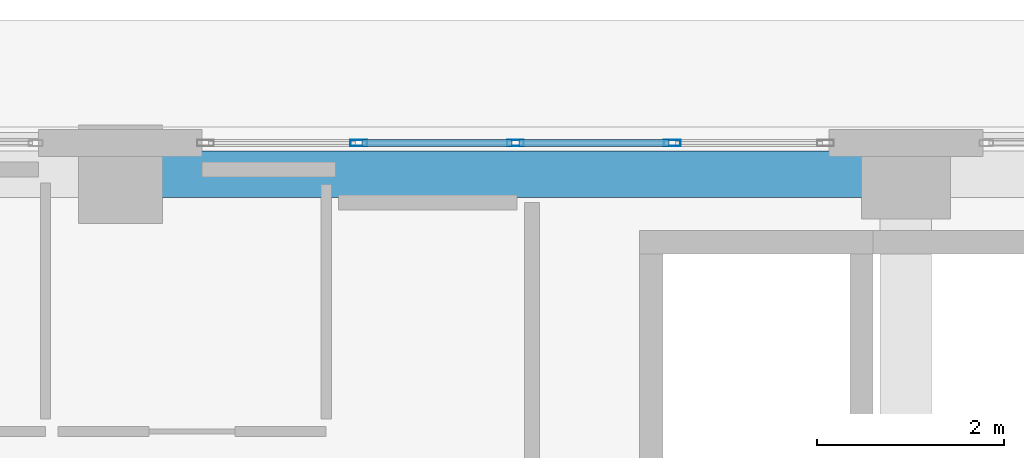
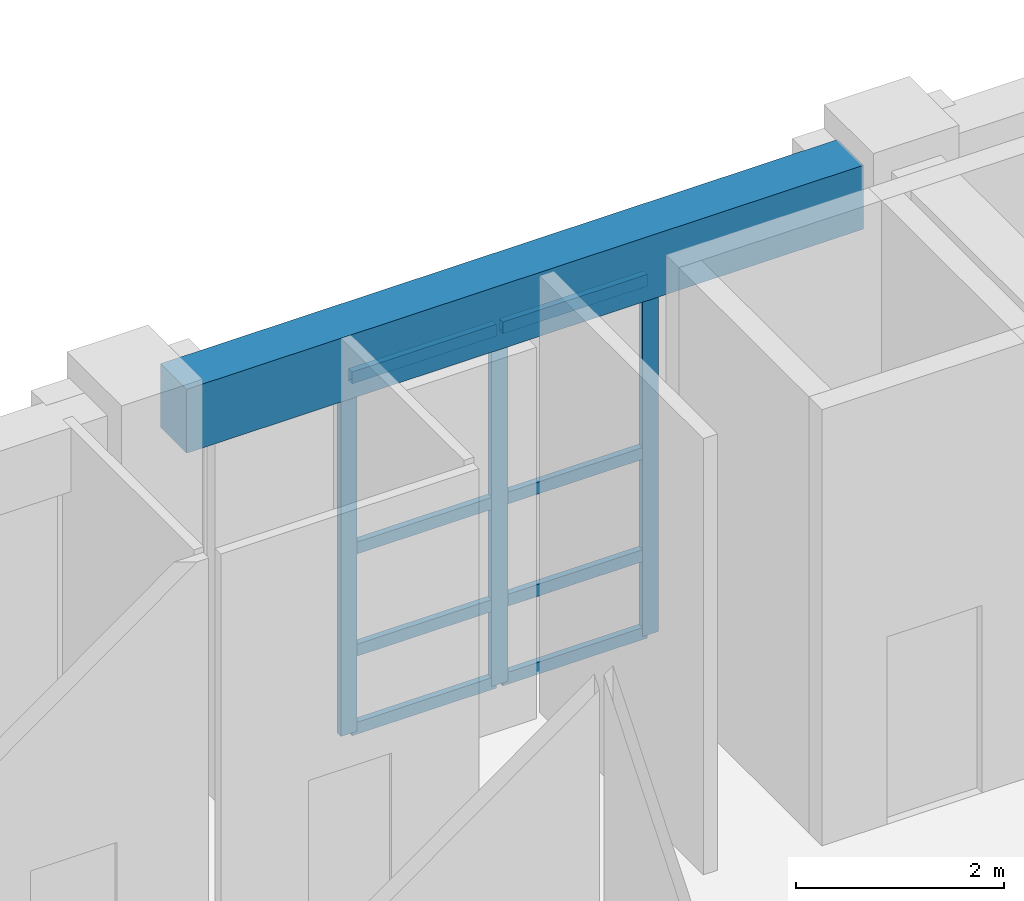
# One storey, part 59 of 148: 11 members, 1 beam, 1 element without a shape of its own.
"""IFC4 building model written with IfcOpenShell, lengths in metres."""

from ifc_helpers import new_model, si_unit, direction, frame, origin, origin_2d, place, context, subcontext, project, spatial, rectangle, hollow_rectangle, extrude, material, layer, layer_set, material_profile, profile_set, type_object, element, aggregate, save


model = new_model("IFC4")

# Units and contexts
model_context = context("Model", 3, precision=1e-05, world=origin(), true_north=direction((0.0, 1.0)))
body_context = subcontext(model_context, "Body", "Model", "MODEL_VIEW")
ifc_project = project(units=[si_unit("LENGTHUNIT", "METRE"), si_unit("AREAUNIT", "SQUARE_METRE"), si_unit("VOLUMEUNIT", "CUBIC_METRE"), si_unit("PLANEANGLEUNIT", "RADIAN"), si_unit("MASSUNIT", "GRAM", prefix="KILO")], contexts=[model_context])

# Site, building, storey
site_placement = place(None, origin())
site = spatial("IfcSite", under=ifc_project, at=site_placement, CompositionType="ELEMENT")
building_placement = place(site_placement, origin())
building = spatial("IfcBuilding", under=site, at=building_placement, Name="Quendrovan Civic Courthouse", CompositionType="ELEMENT")
storey_placement = place(building_placement, origin())
storey = spatial("IfcBuildingStorey", under=building, at=storey_placement, Name="L01", CompositionType="ELEMENT", Elevation=0.0)

# Beam
ifc_material_1 = material(Name="Concrete C40/50", Category="concrete")
ifc_material_profile_1 = material_profile(ifc_material_1, rectangle(XDim=0.5, YDim=0.75, at=origin_2d()), Name="RC-BM-500x750")
ifc_profile_set_1 = profile_set([ifc_material_profile_1], Name="Concrete C40/50")
beam_type = type_object("IfcBeamType", Name="BM-RC750", PredefinedType="SPANDREL", material=ifc_profile_set_1)
beam_placement = place(storey_placement, frame((42.429931640625, 109.89990234375, 4.7451171875), z_axis=(1.0, 0.0, 0.0), x_axis=(0.0, 1.0, 0.0)))
element("IfcBeam", 1, at=beam_placement, inside=storey, type_object=beam_type, Name="L01 Girder X0357", PredefinedType="SPANDREL", context=body_context, shape_type="SweptSolid", body=[
    extrude(rectangle(XDim=0.5, YDim=0.75, at=origin_2d()), origin(), (0.0, 0.0, 1.0), 7.51513671875),
])

# Curtain wall, members
ifc_material_2 = material(Name="Bronze anodised aluminium and low-E glass", Category="aluminium")
ifc_layer = layer(ifc_material_2, 0.179931640625, Name="Bronze anodised aluminium and low-E glass")
ifc_layer_set = layer_set([ifc_layer], Name="Bronze anodised aluminium and low-E glass")
curtain_wall_type = type_object("IfcCurtainWallType", Name="CW-U67x42", PredefinedType="USERDEFINED", material=ifc_layer_set)
curtain_wall_placement = place(storey_placement, origin())
curtain_wall = element("IfcCurtainWall", 2, at=curtain_wall_placement, inside=storey, type_object=curtain_wall_type, Name="L01 Unitised Hurricane Curtain Wall CW-026", ObjectType="UNITISED CURTAIN WALL", PredefinedType="USERDEFINED")
ifc_material_3 = material(Name="Bronze anodised aluminium", Category="aluminium")
ifc_material_profile_2 = material_profile(ifc_material_3, hollow_rectangle(XDim=0.070068359375, YDim=0.179931640625, WallThickness=0.00390625, at=origin_2d()), Name="CW-MULL-70x180")
ifc_profile_set_2 = profile_set([ifc_material_profile_2], Name="Bronze anodised aluminium")
member_type_1 = type_object("IfcMemberType", Name="CW-MULL-A", PredefinedType="MULLION", material=ifc_profile_set_2)
member_1_placement = place(storey_placement, frame((44.550048828125, 110.235107421875, 0.0), z_axis=(0.0, 0.0, 1.0), x_axis=(0.0, 1.0, 0.0)))
member_1 = element("IfcMember", 3, at=member_1_placement, type_object=member_type_1, Name="CW-026 mullion 2", PredefinedType="MULLION", context=body_context, shape_type="SweptSolid", body=[
    extrude(hollow_rectangle(XDim=0.070068359375, YDim=0.179931640625, WallThickness=0.00390625, at=origin_2d()), origin(), (0.0, 0.0, 1.0), 4.199951171875),
])
member_2_placement = place(storey_placement, frame((46.22509765625, 110.235107421875, 0.0), z_axis=(0.0, 0.0, 1.0), x_axis=(0.0, 1.0, 0.0)))
member_2 = element("IfcMember", 4, at=member_2_placement, type_object=member_type_1, Name="CW-026 mullion 3", PredefinedType="MULLION", context=body_context, shape_type="SweptSolid", body=[
    extrude(hollow_rectangle(XDim=0.070068359375, YDim=0.179931640625, WallThickness=0.00390625, at=origin_2d()), origin(), (0.0, 0.0, 1.0), 4.199951171875),
])
member_3_placement = place(storey_placement, frame((47.89990234375, 110.235107421875, 0.0), z_axis=(0.0, 0.0, 1.0), x_axis=(0.0, 1.0, 0.0)))
member_3 = element("IfcMember", 5, at=member_3_placement, type_object=member_type_1, Name="CW-026 mullion 4", PredefinedType="MULLION", context=body_context, shape_type="SweptSolid", body=[
    extrude(hollow_rectangle(XDim=0.070068359375, YDim=0.179931640625, WallThickness=0.00390625, at=origin_2d()), origin(), (0.0, 0.0, 1.0), 4.199951171875),
])
ifc_material_profile_3 = material_profile(ifc_material_3, hollow_rectangle(XDim=0.070068359375, YDim=0.139892578125, WallThickness=0.00390625, at=origin_2d()), Name="CW-TRAN-70x140")
ifc_profile_set_3 = profile_set([ifc_material_profile_3], Name="Bronze anodised aluminium")
member_type_2 = type_object("IfcMemberType", Name="CW-TRAN-A", PredefinedType="USERDEFINED", material=ifc_profile_set_3)
member_4_placement = place(storey_placement, frame((44.5849609375, 110.235107421875, 0.034912109375), z_axis=(1.0, 0.0, 0.0), x_axis=(0.0, 1.0, 0.0)))
member_4 = element("IfcMember", 6, at=member_4_placement, type_object=member_type_2, Name="CW-026 transom 2.1", ObjectType="TRANSOM", PredefinedType="USERDEFINED", context=body_context, shape_type="SweptSolid", body=[
    extrude(hollow_rectangle(XDim=0.070068359375, YDim=0.139892578125, WallThickness=0.00390625, at=origin_2d()), origin(), (0.0, 0.0, 1.0), 1.60498046875),
])
member_5_placement = place(storey_placement, frame((44.5849609375, 110.235107421875, 0.949951171875), z_axis=(1.0, 0.0, 0.0), x_axis=(0.0, 1.0, 0.0)))
member_5 = element("IfcMember", 7, at=member_5_placement, type_object=member_type_2, Name="CW-026 transom 2.2", ObjectType="TRANSOM", PredefinedType="USERDEFINED", context=body_context, shape_type="SweptSolid", body=[
    extrude(hollow_rectangle(XDim=0.070068359375, YDim=0.139892578125, WallThickness=0.00390625, at=origin_2d()), origin(), (0.0, 0.0, 1.0), 1.60498046875),
])
member_6_placement = place(storey_placement, frame((44.5849609375, 110.235107421875, 2.14990234375), z_axis=(1.0, 0.0, 0.0), x_axis=(0.0, 1.0, 0.0)))
member_6 = element("IfcMember", 8, at=member_6_placement, type_object=member_type_2, Name="CW-026 transom 2.3", ObjectType="TRANSOM", PredefinedType="USERDEFINED", context=body_context, shape_type="SweptSolid", body=[
    extrude(hollow_rectangle(XDim=0.070068359375, YDim=0.139892578125, WallThickness=0.00390625, at=origin_2d()), origin(), (0.0, 0.0, 1.0), 1.60498046875),
])
member_7_placement = place(storey_placement, frame((44.5849609375, 110.235107421875, 4.1650390625), z_axis=(1.0, 0.0, 0.0), x_axis=(0.0, 1.0, 0.0)))
member_7 = element("IfcMember", 9, at=member_7_placement, type_object=member_type_2, Name="CW-026 transom 2.4", ObjectType="TRANSOM", PredefinedType="USERDEFINED", context=body_context, shape_type="SweptSolid", body=[
    extrude(hollow_rectangle(XDim=0.070068359375, YDim=0.139892578125, WallThickness=0.00390625, at=origin_2d()), origin(), (0.0, 0.0, 1.0), 1.60498046875),
])
member_8_placement = place(storey_placement, frame((46.260009765625, 110.235107421875, 0.034912109375), z_axis=(1.0, 0.0, 0.0), x_axis=(0.0, 1.0, 0.0)))
member_8 = element("IfcMember", 10, at=member_8_placement, type_object=member_type_2, Name="CW-026 transom 3.1", ObjectType="TRANSOM", PredefinedType="USERDEFINED", context=body_context, shape_type="SweptSolid", body=[
    extrude(hollow_rectangle(XDim=0.070068359375, YDim=0.139892578125, WallThickness=0.00390625, at=origin_2d()), origin(), (0.0, 0.0, 1.0), 1.60498046875),
])
member_9_placement = place(storey_placement, frame((46.260009765625, 110.235107421875, 0.949951171875), z_axis=(1.0, 0.0, 0.0), x_axis=(0.0, 1.0, 0.0)))
member_9 = element("IfcMember", 11, at=member_9_placement, type_object=member_type_2, Name="CW-026 transom 3.2", ObjectType="TRANSOM", PredefinedType="USERDEFINED", context=body_context, shape_type="SweptSolid", body=[
    extrude(hollow_rectangle(XDim=0.070068359375, YDim=0.139892578125, WallThickness=0.00390625, at=origin_2d()), origin(), (0.0, 0.0, 1.0), 1.60498046875),
])
member_10_placement = place(storey_placement, frame((46.260009765625, 110.235107421875, 2.14990234375), z_axis=(1.0, 0.0, 0.0), x_axis=(0.0, 1.0, 0.0)))
member_10 = element("IfcMember", 12, at=member_10_placement, type_object=member_type_2, Name="CW-026 transom 3.3", ObjectType="TRANSOM", PredefinedType="USERDEFINED", context=body_context, shape_type="SweptSolid", body=[
    extrude(hollow_rectangle(XDim=0.070068359375, YDim=0.139892578125, WallThickness=0.00390625, at=origin_2d()), origin(), (0.0, 0.0, 1.0), 1.60498046875),
])
member_11_placement = place(storey_placement, frame((46.260009765625, 110.235107421875, 4.1650390625), z_axis=(1.0, 0.0, 0.0), x_axis=(0.0, 1.0, 0.0)))
member_11 = element("IfcMember", 13, at=member_11_placement, type_object=member_type_2, Name="CW-026 transom 3.4", ObjectType="TRANSOM", PredefinedType="USERDEFINED", context=body_context, shape_type="SweptSolid", body=[
    extrude(hollow_rectangle(XDim=0.070068359375, YDim=0.139892578125, WallThickness=0.00390625, at=origin_2d()), origin(), (0.0, 0.0, 1.0), 1.60498046875),
])
aggregate(curtain_wall, [member_1, member_2, member_3, member_4, member_5, member_6, member_7, member_8, member_9, member_10, member_11])

save(model, "model.ifc")
